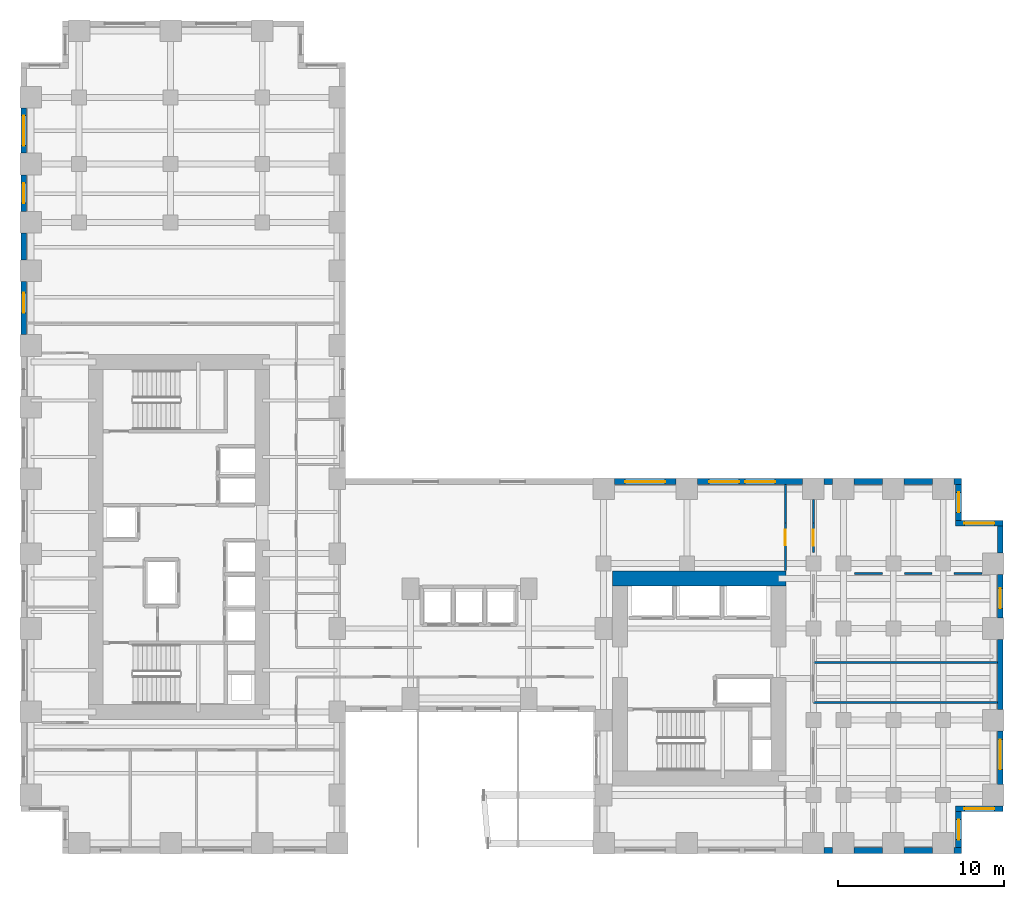
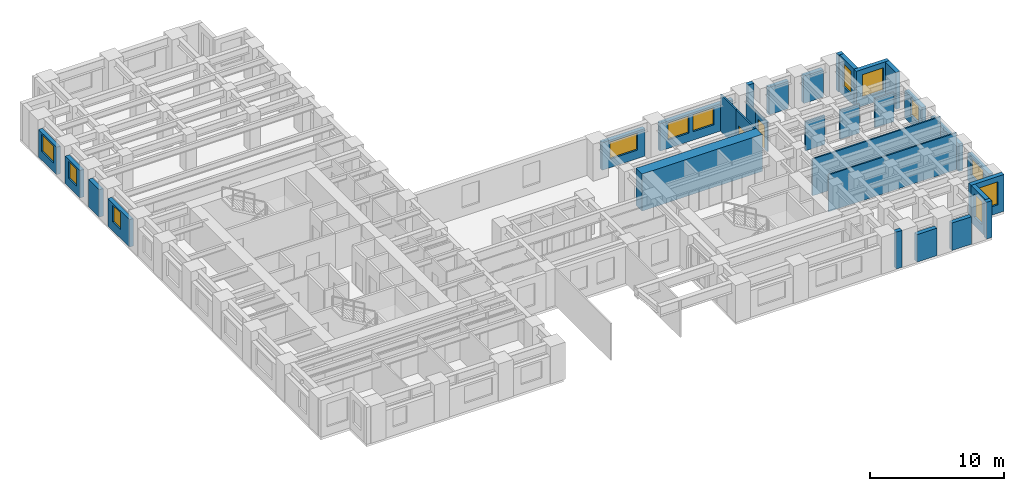
# One storey, part 11 of 14: 32 walls, 12 windows, 2 doors, 14 openings.
"""IFC4 building model written with IfcOpenShell, lengths in metres."""

from ifc_helpers import new_model, si_unit, direction, frame, frame_2d, origin, place, context, subcontext, project, spatial, rectangle, extrude, source, transform, mapped, material, layer, layer_set, type_object, element, fill, save


model = new_model("IFC4")

# Units and contexts
model_context = context("Model", 3, precision=1e-05, world=origin(), true_north=direction((0.0, 1.0)))
body_context = subcontext(model_context, "Body", "Model", "MODEL_VIEW")
ifc_project = project(units=[si_unit("LENGTHUNIT", "METRE"), si_unit("AREAUNIT", "SQUARE_METRE"), si_unit("VOLUMEUNIT", "CUBIC_METRE"), si_unit("PLANEANGLEUNIT", "RADIAN"), si_unit("MASSUNIT", "GRAM", prefix="KILO")], contexts=[model_context])

# Site, building, storey
site_placement = place(None, origin())
site = spatial("IfcSite", under=ifc_project, at=site_placement, CompositionType="ELEMENT")
building_placement = place(site_placement, origin())
building = spatial("IfcBuilding", under=site, at=building_placement, Name="Kharzan Plaza Tower", CompositionType="ELEMENT")
storey_placement = place(building_placement, frame((0.0, 0.0, 29.699951171875)))
storey = spatial("IfcBuildingStorey", under=building, at=storey_placement, Name="L07", CompositionType="ELEMENT", Elevation=29.699951171875)

# Wall, opening, window
ifc_material_1 = material(Name="Concrete C40/50", Category="concrete")
ifc_layer_1 = layer(ifc_material_1, 0.35009765625)
ifc_layer_set_1 = layer_set([ifc_layer_1], Name="Concrete C40/50")
wall_type_1 = type_object("IfcWallType", Name="WL-EXT-MAS-Z1", PredefinedType="SOLIDWALL", material=ifc_layer_set_1)
wall_1_placement = place(storey_placement, frame((0.175048828125, 44.751953125, 0.0), z_axis=(0.0, 0.0, 1.0), x_axis=(0.0, -1.0, 0.0)))
wall_1 = element("IfcWall", 1, at=wall_1_placement, inside=storey, type_object=wall_type_1, Name="L07 Masonry-Frame Exterior Wall 10", PredefinedType="SOLIDWALL", context=body_context, shape_type="SweptSolid", body=[
    extrude(rectangle(XDim=2.703857421875, YDim=0.35009765625, at=frame_2d((1.35205078125, 0.0))), origin(), (0.0, 0.0, 1.0), 2.510009765625),
])
opening_1_placement = place(wall_1_placement, frame((0.451904296875, 0.0, 0.780029296875)))
opening_1 = element("IfcOpeningElement", 2, at=opening_1_placement, cuts=wall_1, Name="Opening W1", PredefinedType="OPENING", context=body_context, shape_type="SweptSolid", body=[
    extrude(rectangle(XDim=1.800048828125, YDim=1.550048828125, at=frame_2d((0.89990234375, 0.77490234375))), frame((0.0, 0.18505859375, 0.0), z_axis=(0.0, -1.0, 0.0), x_axis=(1.0, 0.0, 0.0)), (0.0, 0.0, 1.0), 0.3701171875),
])
ifc_material_2 = material(Name="Low-E Double Glazing", Category="glass")
window_type_1 = type_object("IfcWindowType", Name="WN-REC-1800x2100", PartitioningType="SINGLE_PANEL", PredefinedType="WINDOW", material=ifc_material_2)
shared_shape_1 = source(origin(), body_context, "Body", "SweptSolid", [
    extrude(rectangle(XDim=1.800048828125, YDim=1.550048828125, at=frame_2d((0.89990234375, 0.77490234375))), frame((0.0, 0.030029296875, 0.0), z_axis=(0.0, -1.0, 0.0), x_axis=(1.0, 0.0, 0.0)), (0.0, 0.0, 1.0), 0.06005859375),
])
window_1_placement = place(opening_1_placement, origin())
window_1 = element("IfcWindow", 3, at=window_1_placement, inside=storey, type_object=window_type_1, Name="L07 Recessed Solar-Control Window 10-1", OverallHeight=1.550048828125, OverallWidth=1.800048828125, PartitioningType="SINGLE_PANEL", PredefinedType="WINDOW", context=body_context, shape_type="MappedRepresentation", body=[
    mapped(shared_shape_1, transform((0.0, 0.0, 0.0), x_axis=(1.0, 0.0, 0.0), y_axis=(0.0, 1.0, 0.0), z_axis=(0.0, 0.0, 1.0))),
])
fill(opening_1, window_1)

wall_2_placement = place(storey_placement, frame((0.175048828125, 40.751953125, 0.0), z_axis=(0.0, 0.0, 1.0), x_axis=(0.0, -1.0, 0.0)))
wall_2 = element("IfcWall", 4, at=wall_2_placement, inside=storey, type_object=wall_type_1, Name="L07 Masonry-Frame Exterior Wall 11", PredefinedType="SOLIDWALL", context=body_context, shape_type="SweptSolid", body=[
    extrude(rectangle(XDim=2.203857421875, YDim=0.35009765625, at=frame_2d((1.10205078125, 0.0))), origin(), (0.0, 0.0, 1.0), 2.510009765625),
])
opening_2_placement = place(wall_2_placement, frame((0.501953125, 0.0, 0.780029296875)))
opening_2 = element("IfcOpeningElement", 5, at=opening_2_placement, cuts=wall_2, Name="Opening W3", PredefinedType="OPENING", context=body_context, shape_type="SweptSolid", body=[
    extrude(rectangle(XDim=1.199951171875, YDim=1.550048828125, at=frame_2d((0.60009765625, 0.77490234375))), frame((0.0, 0.18505859375, 0.0), z_axis=(0.0, -1.0, 0.0), x_axis=(1.0, 0.0, 0.0)), (0.0, 0.0, 1.0), 0.3701171875),
])
window_type_2 = type_object("IfcWindowType", Name="WN-REC-1200x2100", PartitioningType="SINGLE_PANEL", PredefinedType="WINDOW", material=ifc_material_2)
shared_shape_2 = source(origin(), body_context, "Body", "SweptSolid", [
    extrude(rectangle(XDim=1.199951171875, YDim=1.550048828125, at=frame_2d((0.60009765625, 0.77490234375))), frame((0.0, 0.030029296875, 0.0), z_axis=(0.0, -1.0, 0.0), x_axis=(1.0, 0.0, 0.0)), (0.0, 0.0, 1.0), 0.06005859375),
])
window_2_placement = place(opening_2_placement, origin())
window_2 = element("IfcWindow", 6, at=window_2_placement, inside=storey, type_object=window_type_2, Name="L07 Recessed Solar-Control Window 11-1", OverallHeight=1.550048828125, OverallWidth=1.199951171875, PartitioningType="SINGLE_PANEL", PredefinedType="WINDOW", context=body_context, shape_type="MappedRepresentation", body=[
    mapped(shared_shape_2, transform((0.0, 0.0, 0.0), x_axis=(1.0, 0.0, 0.0), y_axis=(0.0, 1.0, 0.0), z_axis=(0.0, 0.0, 1.0))),
])
fill(opening_2, window_2)

wall_3_placement = place(storey_placement, frame((0.175048828125, 34.35205078125, 0.0), z_axis=(0.0, 0.0, 1.0), x_axis=(0.0, -1.0, 0.0)))
wall_3 = element("IfcWall", 7, at=wall_3_placement, inside=storey, type_object=wall_type_1, Name="L07 Masonry-Frame Exterior Wall 13", PredefinedType="SOLIDWALL", context=body_context, shape_type="SweptSolid", body=[
    extrude(rectangle(XDim=3.2041015625, YDim=0.35009765625, at=frame_2d((1.60205078125, 0.0))), origin(), (0.0, 0.0, 1.0), 2.510009765625),
])
opening_3_placement = place(wall_3_placement, frame((0.68603515625, 0.0, 0.780029296875)))
opening_3 = element("IfcOpeningElement", 8, at=opening_3_placement, cuts=wall_3, Name="Opening W3", PredefinedType="OPENING", context=body_context, shape_type="SweptSolid", body=[
    extrude(rectangle(XDim=1.199951171875, YDim=1.550048828125, at=frame_2d((0.60009765625, 0.77490234375))), frame((0.0, 0.18505859375, 0.0), z_axis=(0.0, -1.0, 0.0), x_axis=(1.0, 0.0, 0.0)), (0.0, 0.0, 1.0), 0.3701171875),
])
window_3_placement = place(opening_3_placement, origin())
window_3 = element("IfcWindow", 9, at=window_3_placement, inside=storey, type_object=window_type_2, Name="L07 Recessed Solar-Control Window 13-1", OverallHeight=1.550048828125, OverallWidth=1.199951171875, PartitioningType="SINGLE_PANEL", PredefinedType="WINDOW", context=body_context, shape_type="MappedRepresentation", body=[
    mapped(shared_shape_2, transform((0.0, 0.0, 0.0), x_axis=(1.0, 0.0, 0.0), y_axis=(0.0, 1.0, 0.0), z_axis=(0.0, 0.0, 1.0))),
])
fill(opening_3, window_3)

wall_4_placement = place(storey_placement, frame((56.324951171875, 0.347900390625, 0.0), z_axis=(0.0, 0.0, 1.0), x_axis=(0.0, 1.0, 0.0)))
wall_4 = element("IfcWall", 10, at=wall_4_placement, inside=storey, type_object=wall_type_1, Name="L07 Masonry-Frame Exterior Wall 40", PredefinedType="SOLIDWALL", context=body_context, shape_type="SweptSolid", body=[
    extrude(rectangle(XDim=2.154052734375, YDim=0.35009765625, at=frame_2d((1.0771484375, 0.0))), origin(), (0.0, 0.0, 1.0), 3.364990234375),
])
opening_4_placement = place(wall_4_placement, frame((0.47705078125, 0.0, 0.780029296875)))
opening_4 = element("IfcOpeningElement", 11, at=opening_4_placement, cuts=wall_4, Name="Opening W3", PredefinedType="OPENING", context=body_context, shape_type="SweptSolid", body=[
    extrude(rectangle(XDim=1.199951171875, YDim=2.10009765625, at=frame_2d((0.60009765625, 1.050048828125))), frame((0.0, 0.18505859375, 0.0), z_axis=(0.0, -1.0, 0.0), x_axis=(1.0, 0.0, 0.0)), (0.0, 0.0, 1.0), 0.3701171875),
])
shared_shape_3 = source(origin(), body_context, "Body", "SweptSolid", [
    extrude(rectangle(XDim=1.199951171875, YDim=2.10009765625, at=frame_2d((0.60009765625, 1.050048828125))), frame((0.0, 0.030029296875, 0.0), z_axis=(0.0, -1.0, 0.0), x_axis=(1.0, 0.0, 0.0)), (0.0, 0.0, 1.0), 0.06005859375),
])
window_4_placement = place(opening_4_placement, origin())
window_4 = element("IfcWindow", 12, at=window_4_placement, inside=storey, type_object=window_type_2, Name="L07 Recessed Solar-Control Window 40-1", OverallHeight=2.10009765625, OverallWidth=1.199951171875, PartitioningType="SINGLE_PANEL", PredefinedType="WINDOW", context=body_context, shape_type="MappedRepresentation", body=[
    mapped(shared_shape_3, transform((0.0, 0.0, 0.0), x_axis=(1.0, 0.0, 0.0), y_axis=(0.0, 1.0, 0.0), z_axis=(0.0, 0.0, 1.0))),
])
fill(opening_4, window_4)

wall_5_placement = place(storey_placement, frame((56.14990234375, 2.675048828125, 0.0), z_axis=(0.0, 0.0, 1.0), x_axis=(1.0, 0.0, 0.0)))
wall_5 = element("IfcWall", 13, at=wall_5_placement, inside=storey, type_object=wall_type_1, Name="L07 Masonry-Frame Exterior Wall 41", PredefinedType="SOLIDWALL", context=body_context, shape_type="SweptSolid", body=[
    extrude(rectangle(XDim=2.85009765625, YDim=0.35009765625, at=frame_2d((1.425048828125, 0.0))), origin(), (0.0, 0.0, 1.0), 3.364990234375),
])
opening_5_placement = place(wall_5_placement, frame((0.52490234375, 0.0, 0.780029296875)))
opening_5 = element("IfcOpeningElement", 14, at=opening_5_placement, cuts=wall_5, Name="Opening W1", PredefinedType="OPENING", context=body_context, shape_type="SweptSolid", body=[
    extrude(rectangle(XDim=1.800048828125, YDim=2.10009765625, at=frame_2d((0.89990234375, 1.050048828125))), frame((0.0, 0.18505859375, 0.0), z_axis=(0.0, -1.0, 0.0), x_axis=(1.0, 0.0, 0.0)), (0.0, 0.0, 1.0), 0.3701171875),
])
shared_shape_4 = source(origin(), body_context, "Body", "SweptSolid", [
    extrude(rectangle(XDim=1.800048828125, YDim=2.10009765625, at=frame_2d((0.89990234375, 1.050048828125))), frame((0.0, 0.030029296875, 0.0), z_axis=(0.0, -1.0, 0.0), x_axis=(1.0, 0.0, 0.0)), (0.0, 0.0, 1.0), 0.06005859375),
])
window_5_placement = place(opening_5_placement, origin())
window_5 = element("IfcWindow", 15, at=window_5_placement, inside=storey, type_object=window_type_1, Name="L07 Recessed Solar-Control Window 41-1", OverallHeight=2.10009765625, OverallWidth=1.800048828125, PartitioningType="SINGLE_PANEL", PredefinedType="WINDOW", context=body_context, shape_type="MappedRepresentation", body=[
    mapped(shared_shape_4, transform((0.0, 0.0, 0.0), x_axis=(1.0, 0.0, 0.0), y_axis=(0.0, 1.0, 0.0), z_axis=(0.0, 0.0, 1.0))),
])
fill(opening_5, window_5)

wall_6_placement = place(storey_placement, frame((58.824951171875, 4.14794921875, 0.0), z_axis=(0.0, 0.0, 1.0), x_axis=(0.0, 1.0, 0.0)))
wall_6 = element("IfcWall", 16, at=wall_6_placement, inside=storey, type_object=wall_type_1, Name="L07 Masonry-Frame Exterior Wall 42", PredefinedType="SOLIDWALL", context=body_context, shape_type="SweptSolid", body=[
    extrude(rectangle(XDim=3.2041015625, YDim=0.35009765625, at=frame_2d((1.60205078125, 0.0))), origin(), (0.0, 0.0, 1.0), 2.510009765625),
])
opening_6_placement = place(wall_6_placement, frame((0.88671875, 0.0, 0.780029296875)))
opening_6 = element("IfcOpeningElement", 17, at=opening_6_placement, cuts=wall_6, Name="Opening W1", PredefinedType="OPENING", context=body_context, shape_type="SweptSolid", body=[
    extrude(rectangle(XDim=1.800048828125, YDim=1.550048828125, at=frame_2d((0.89990234375, 0.77490234375))), frame((0.0, 0.18505859375, 0.0), z_axis=(0.0, -1.0, 0.0), x_axis=(1.0, 0.0, 0.0)), (0.0, 0.0, 1.0), 0.3701171875),
])
window_6_placement = place(opening_6_placement, origin())
window_6 = element("IfcWindow", 18, at=window_6_placement, inside=storey, type_object=window_type_1, Name="L07 Recessed Solar-Control Window 42-1", OverallHeight=1.550048828125, OverallWidth=1.800048828125, PartitioningType="SINGLE_PANEL", PredefinedType="WINDOW", context=body_context, shape_type="MappedRepresentation", body=[
    mapped(shared_shape_1, transform((0.0, 0.0, 0.0), x_axis=(1.0, 0.0, 0.0), y_axis=(0.0, 1.0, 0.0), z_axis=(0.0, 0.0, 1.0))),
])
fill(opening_6, window_6)

wall_7_placement = place(storey_placement, frame((58.824951171875, 14.14794921875, 0.0), z_axis=(0.0, 0.0, 1.0), x_axis=(0.0, 1.0, 0.0)))
wall_7 = element("IfcWall", 19, at=wall_7_placement, inside=storey, type_object=wall_type_1, Name="L07 Masonry-Frame Exterior Wall 44", PredefinedType="SOLIDWALL", context=body_context, shape_type="SweptSolid", body=[
    extrude(rectangle(XDim=2.60400390625, YDim=0.35009765625, at=frame_2d((1.302001953125, 0.0))), origin(), (0.0, 0.0, 1.0), 2.510009765625),
])
opening_7_placement = place(wall_7_placement, frame((0.5673828125, 0.0, 0.780029296875)))
opening_7 = element("IfcOpeningElement", 20, at=opening_7_placement, cuts=wall_7, Name="Opening W3", PredefinedType="OPENING", context=body_context, shape_type="SweptSolid", body=[
    extrude(rectangle(XDim=1.199951171875, YDim=1.550048828125, at=frame_2d((0.60009765625, 0.77490234375))), frame((0.0, 0.18505859375, 0.0), z_axis=(0.0, -1.0, 0.0), x_axis=(1.0, 0.0, 0.0)), (0.0, 0.0, 1.0), 0.3701171875),
])
window_7_placement = place(opening_7_placement, origin())
window_7 = element("IfcWindow", 21, at=window_7_placement, inside=storey, type_object=window_type_2, Name="L07 Recessed Solar-Control Window 44-1", OverallHeight=1.550048828125, OverallWidth=1.199951171875, PartitioningType="SINGLE_PANEL", PredefinedType="WINDOW", context=body_context, shape_type="MappedRepresentation", body=[
    mapped(shared_shape_2, transform((0.0, 0.0, 0.0), x_axis=(1.0, 0.0, 0.0), y_axis=(0.0, 1.0, 0.0), z_axis=(0.0, 0.0, 1.0))),
])
fill(opening_7, window_7)

wall_8_placement = place(storey_placement, frame((59.0, 19.824951171875, 0.0), z_axis=(0.0, 0.0, 1.0), x_axis=(-1.0, 0.0, 0.0)))
wall_8 = element("IfcWall", 22, at=wall_8_placement, inside=storey, type_object=wall_type_1, Name="L07 Masonry-Frame Exterior Wall 46", PredefinedType="SOLIDWALL", context=body_context, shape_type="SweptSolid", body=[
    extrude(rectangle(XDim=2.85009765625, YDim=0.35009765625, at=frame_2d((1.425048828125, 0.0))), origin(), (0.0, 0.0, 1.0), 3.364990234375),
])
opening_8_placement = place(wall_8_placement, frame((0.52490234375, 0.0, 0.780029296875)))
opening_8 = element("IfcOpeningElement", 23, at=opening_8_placement, cuts=wall_8, Name="Opening W1", PredefinedType="OPENING", context=body_context, shape_type="SweptSolid", body=[
    extrude(rectangle(XDim=1.800048828125, YDim=2.10009765625, at=frame_2d((0.89990234375, 1.050048828125))), frame((0.0, 0.18505859375, 0.0), z_axis=(0.0, -1.0, 0.0), x_axis=(1.0, 0.0, 0.0)), (0.0, 0.0, 1.0), 0.3701171875),
])
window_8_placement = place(opening_8_placement, origin())
window_8 = element("IfcWindow", 24, at=window_8_placement, inside=storey, type_object=window_type_1, Name="L07 Recessed Solar-Control Window 46-1", OverallHeight=2.10009765625, OverallWidth=1.800048828125, PartitioningType="SINGLE_PANEL", PredefinedType="WINDOW", context=body_context, shape_type="MappedRepresentation", body=[
    mapped(shared_shape_4, transform((0.0, 0.0, 0.0), x_axis=(1.0, 0.0, 0.0), y_axis=(0.0, 1.0, 0.0), z_axis=(0.0, 0.0, 1.0))),
])
fill(opening_8, window_8)

wall_9_placement = place(storey_placement, frame((56.324951171875, 19.998046875, 0.0), z_axis=(0.0, 0.0, 1.0), x_axis=(0.0, 1.0, 0.0)))
wall_9 = element("IfcWall", 25, at=wall_9_placement, inside=storey, type_object=wall_type_1, Name="L07 Masonry-Frame Exterior Wall 47", PredefinedType="SOLIDWALL", context=body_context, shape_type="SweptSolid", body=[
    extrude(rectangle(XDim=2.154052734375, YDim=0.35009765625, at=frame_2d((1.0771484375, 0.0))), origin(), (0.0, 0.0, 1.0), 3.364990234375),
])
opening_9_placement = place(wall_9_placement, frame((0.47705078125, 0.0, 0.780029296875)))
opening_9 = element("IfcOpeningElement", 26, at=opening_9_placement, cuts=wall_9, Name="Opening W3", PredefinedType="OPENING", context=body_context, shape_type="SweptSolid", body=[
    extrude(rectangle(XDim=1.199951171875, YDim=2.10009765625, at=frame_2d((0.60009765625, 1.050048828125))), frame((0.0, 0.18505859375, 0.0), z_axis=(0.0, -1.0, 0.0), x_axis=(1.0, 0.0, 0.0)), (0.0, 0.0, 1.0), 0.3701171875),
])
window_9_placement = place(opening_9_placement, origin())
window_9 = element("IfcWindow", 27, at=window_9_placement, inside=storey, type_object=window_type_2, Name="L07 Recessed Solar-Control Window 47-1", OverallHeight=2.10009765625, OverallWidth=1.199951171875, PartitioningType="SINGLE_PANEL", PredefinedType="WINDOW", context=body_context, shape_type="MappedRepresentation", body=[
    mapped(shared_shape_3, transform((0.0, 0.0, 0.0), x_axis=(1.0, 0.0, 0.0), y_axis=(0.0, 1.0, 0.0), z_axis=(0.0, 0.0, 1.0))),
])
fill(opening_9, window_9)

# Wall, openings, windows
wall_10_placement = place(storey_placement, frame((46.951904296875, 22.324951171875, 0.0), z_axis=(0.0, 0.0, 1.0), x_axis=(-1.0, 0.0, 0.0)))
wall_10 = element("IfcWall", 28, at=wall_10_placement, inside=storey, type_object=wall_type_1, Name="L07 Masonry-Frame Exterior Wall 52", PredefinedType="SOLIDWALL", context=body_context, shape_type="SweptSolid", body=[
    extrude(rectangle(XDim=6.303955078125, YDim=0.35009765625, at=frame_2d((3.15185546875, 0.0))), origin(), (0.0, 0.0, 1.0), 2.510009765625),
])
opening_10_placement = place(wall_10_placement, frame((1.6494140625, 0.0, 0.780029296875)))
opening_10 = element("IfcOpeningElement", 29, at=opening_10_placement, cuts=wall_10, Name="Opening W1", PredefinedType="OPENING", context=body_context, shape_type="SweptSolid", body=[
    extrude(rectangle(XDim=1.800048828125, YDim=1.550048828125, at=frame_2d((0.89990234375, 0.77490234375))), frame((0.0, 0.18505859375, 0.0), z_axis=(0.0, -1.0, 0.0), x_axis=(1.0, 0.0, 0.0)), (0.0, 0.0, 1.0), 0.3701171875),
])
opening_11_placement = place(wall_10_placement, frame((3.816650390625, 0.0, 0.780029296875)))
opening_11 = element("IfcOpeningElement", 30, at=opening_11_placement, cuts=wall_10, Name="Opening W1", PredefinedType="OPENING", context=body_context, shape_type="SweptSolid", body=[
    extrude(rectangle(XDim=1.800048828125, YDim=1.550048828125, at=frame_2d((0.89990234375, 0.77490234375))), frame((0.0, 0.18505859375, 0.0), z_axis=(0.0, -1.0, 0.0), x_axis=(1.0, 0.0, 0.0)), (0.0, 0.0, 1.0), 0.3701171875),
])
window_10_placement = place(opening_10_placement, origin())
window_10 = element("IfcWindow", 31, at=window_10_placement, inside=storey, type_object=window_type_1, Name="L07 Recessed Solar-Control Window 52-1", OverallHeight=1.550048828125, OverallWidth=1.800048828125, PartitioningType="SINGLE_PANEL", PredefinedType="WINDOW", context=body_context, shape_type="MappedRepresentation", body=[
    mapped(shared_shape_1, transform((0.0, 0.0, 0.0), x_axis=(1.0, 0.0, 0.0), y_axis=(0.0, 1.0, 0.0), z_axis=(0.0, 0.0, 1.0))),
])
fill(opening_10, window_10)
window_11_placement = place(opening_11_placement, origin())
window_11 = element("IfcWindow", 32, at=window_11_placement, inside=storey, type_object=window_type_1, Name="L07 Recessed Solar-Control Window 52-2", OverallHeight=1.550048828125, OverallWidth=1.800048828125, PartitioningType="SINGLE_PANEL", PredefinedType="WINDOW", context=body_context, shape_type="MappedRepresentation", body=[
    mapped(shared_shape_1, transform((0.0, 0.0, 0.0), x_axis=(1.0, 0.0, 0.0), y_axis=(0.0, 1.0, 0.0), z_axis=(0.0, 0.0, 1.0))),
])
fill(opening_11, window_11)

# Wall, opening, window
wall_11_placement = place(storey_placement, frame((39.35205078125, 22.324951171875, 0.0), z_axis=(0.0, 0.0, 1.0), x_axis=(-1.0, 0.0, 0.0)))
wall_11 = element("IfcWall", 33, at=wall_11_placement, inside=storey, type_object=wall_type_1, Name="L07 Masonry-Frame Exterior Wall 53", PredefinedType="SOLIDWALL", context=body_context, shape_type="SweptSolid", body=[
    extrude(rectangle(XDim=3.7041015625, YDim=0.35009765625, at=frame_2d((1.85205078125, 0.0))), origin(), (0.0, 0.0, 1.0), 2.510009765625),
])
opening_12_placement = place(wall_11_placement, frame((0.652099609375, 0.0, 0.780029296875)))
opening_12 = element("IfcOpeningElement", 34, at=opening_12_placement, cuts=wall_11, Name="Opening W2", PredefinedType="OPENING", context=body_context, shape_type="SweptSolid", body=[
    extrude(rectangle(XDim=2.39990234375, YDim=1.550048828125, at=frame_2d((1.199951171875, 0.77490234375))), frame((0.0, 0.18505859375, 0.0), z_axis=(0.0, -1.0, 0.0), x_axis=(1.0, 0.0, 0.0)), (0.0, 0.0, 1.0), 0.3701171875),
])
window_type_3 = type_object("IfcWindowType", Name="WN-REC-2400x2100", PartitioningType="SINGLE_PANEL", PredefinedType="WINDOW", material=ifc_material_2)
shared_shape_5 = source(origin(), body_context, "Body", "SweptSolid", [
    extrude(rectangle(XDim=2.39990234375, YDim=1.550048828125, at=frame_2d((1.199951171875, 0.77490234375))), frame((0.0, 0.030029296875, 0.0), z_axis=(0.0, -1.0, 0.0), x_axis=(1.0, 0.0, 0.0)), (0.0, 0.0, 1.0), 0.06005859375),
])
window_12_placement = place(opening_12_placement, origin())
window_12 = element("IfcWindow", 35, at=window_12_placement, inside=storey, type_object=window_type_3, Name="L07 Wide Recessed Solar-Control Window 53-1", OverallHeight=1.550048828125, OverallWidth=2.39990234375, PartitioningType="SINGLE_PANEL", PredefinedType="WINDOW", context=body_context, shape_type="MappedRepresentation", body=[
    mapped(shared_shape_5, transform((0.0, 0.0, 0.0), x_axis=(1.0, 0.0, 0.0), y_axis=(0.0, 1.0, 0.0), z_axis=(0.0, 0.0, 1.0))),
])
fill(opening_12, window_12)

# Wall, opening, door
ifc_material_3 = material(Name="Fire-Rated Gypsum Board Partition", Category="gypsum")
ifc_layer_2 = layer(ifc_material_3, 0.125)
ifc_layer_set_2 = layer_set([ifc_layer_2], Name="Fire-Rated Gypsum Board Partition")
wall_type_2 = type_object("IfcWallType", Name="WL-INT-PART-125", PredefinedType="PARTITIONING", material=ifc_layer_set_2)
wall_12_placement = place(storey_placement, frame((47.60009765625, 18.06005859375, 0.0), z_axis=(0.0, 0.0, 1.0), x_axis=(0.0, 1.0, 0.0)))
wall_12 = element("IfcWall", 36, at=wall_12_placement, inside=storey, type_object=wall_type_2, Name="L07 Interior Partition SH-B1W2", PredefinedType="PARTITIONING", context=body_context, shape_type="SweptSolid", body=[
    extrude(rectangle(XDim=1.7900390625, YDim=0.125, at=frame_2d((0.89501953125, 0.0))), origin(), (0.0, 0.0, 1.0), 2.670166015625),
])
opening_13_placement = place(wall_12_placement, frame((0.419921875, 0.0, 0.0)))
opening_13 = element("IfcOpeningElement", 37, at=opening_13_placement, cuts=wall_12, Name="Opening OD1", PredefinedType="OPENING", context=body_context, shape_type="SweptSolid", body=[
    extrude(rectangle(XDim=0.949951171875, YDim=2.14990234375, at=frame_2d((0.47509765625, 1.074951171875))), frame((0.0, 0.072509765625, 0.0), z_axis=(0.0, -1.0, 0.0), x_axis=(1.0, 0.0, 0.0)), (0.0, 0.0, 1.0), 0.14501953125),
])
ifc_material_4 = material(Name="Acoustic Solid-Core Stained Oak", Category="timber")
door_type = type_object("IfcDoorType", Name="DR-OFF-SINGLE", OperationType="NOTDEFINED", PredefinedType="DOOR", material=ifc_material_4)
shared_shape_6 = source(origin(), body_context, "Body", "SweptSolid", [
    extrude(rectangle(XDim=0.949951171875, YDim=2.14990234375, at=frame_2d((0.47509765625, 1.074951171875))), frame((0.0, 0.02490234375, 0.0), z_axis=(0.0, -1.0, 0.0), x_axis=(1.0, 0.0, 0.0)), (0.0, 0.0, 1.0), 0.050048828125),
])
door_1_placement = place(opening_13_placement, origin())
door_1 = element("IfcDoor", 38, at=door_1_placement, inside=storey, type_object=door_type, Name="L07 Wing B North Office Door", OperationType="SINGLE_SWING_RIGHT", OverallHeight=2.14990234375, OverallWidth=0.949951171875, PredefinedType="DOOR", context=body_context, shape_type="MappedRepresentation", body=[
    mapped(shared_shape_6, transform((0.0, 0.0, 0.0), x_axis=(1.0, 0.0, 0.0), y_axis=(0.0, 1.0, 0.0), z_axis=(0.0, 0.0, 1.0))),
])
fill(opening_13, door_1)

wall_13_placement = place(storey_placement, frame((45.919921875, 16.97998046875, 0.0), z_axis=(0.0, 0.0, 1.0), x_axis=(0.0, 1.0, 0.0)))
wall_13 = element("IfcWall", 39, at=wall_13_placement, inside=storey, type_object=wall_type_2, Name="L07 Interior Partition SH-RBNE", PredefinedType="PARTITIONING", context=body_context, shape_type="SweptSolid", body=[
    extrude(rectangle(XDim=2.8701171875, YDim=0.125, at=frame_2d((1.43505859375, 0.0))), origin(), (0.0, 0.0, 1.0), 3.364990234375),
])
opening_14_placement = place(wall_13_placement, frame((1.51708984375, 0.0, 0.0)))
opening_14 = element("IfcOpeningElement", 40, at=opening_14_placement, cuts=wall_13, Name="Opening OD1", PredefinedType="OPENING", context=body_context, shape_type="SweptSolid", body=[
    extrude(rectangle(XDim=0.949951171875, YDim=2.14990234375, at=frame_2d((0.47509765625, 1.074951171875))), frame((0.0, 0.072509765625, 0.0), z_axis=(0.0, -1.0, 0.0), x_axis=(1.0, 0.0, 0.0)), (0.0, 0.0, 1.0), 0.14501953125),
])
door_2_placement = place(opening_14_placement, origin())
door_2 = element("IfcDoor", 41, at=door_2_placement, inside=storey, type_object=door_type, Name="L07 Wing B North Studio Door", OperationType="SINGLE_SWING_LEFT", OverallHeight=2.14990234375, OverallWidth=0.949951171875, PredefinedType="DOOR", context=body_context, shape_type="MappedRepresentation", body=[
    mapped(shared_shape_6, transform((0.0, 0.0, 0.0), x_axis=(1.0, 0.0, 0.0), y_axis=(0.0, 1.0, 0.0), z_axis=(0.0, 0.0, 1.0))),
])
fill(opening_14, door_2)

# Walls
shared_shape_7 = source(origin(), body_context, "Body", "SweptSolid", [
    extrude(rectangle(XDim=1.60400390625, YDim=0.35009765625, at=frame_2d((0.802001953125, 0.0))), origin(), (0.0, 0.0, 1.0), 2.510009765625),
])
wall_14_placement = place(storey_placement, frame((0.175048828125, 37.251953125, 0.0), z_axis=(0.0, 0.0, 1.0), x_axis=(0.0, -1.0, 0.0)))
element("IfcWall", 42, at=wall_14_placement, inside=storey, type_object=wall_type_1, Name="L07 Masonry-Frame Exterior Wall 12", PredefinedType="SOLIDWALL", context=body_context, shape_type="MappedRepresentation", body=[
    mapped(shared_shape_7, transform((0.0, 0.0, 0.0), x_axis=(1.0, 0.0, 0.0), y_axis=(0.0, 1.0, 0.0), z_axis=(0.0, 0.0, 1.0))),
])
shared_shape_8 = source(origin(), body_context, "Body", "SweptSolid", [
    extrude(rectangle(XDim=0.50390625, YDim=0.35009765625, at=frame_2d((0.251953125, 0.0))), origin(), (0.0, 0.0, 1.0), 3.364990234375),
])
for number, where, z_axis, x_axis, name in (
    (43, (48.248046875, 0.175048828125, 0.0), (0.0, 0.0, 1.0), (1.0, 0.0, 0.0), "L07 Masonry-Frame Exterior Wall 36"),
    (44, (48.751953125, 22.324951171875, 0.0), (0.0, 0.0, 1.0), (-1.0, 0.0, 0.0), "L07 Masonry-Frame Exterior Wall 51"),
):
    element("IfcWall", number, at=place(storey_placement, frame(where, z_axis=z_axis, x_axis=x_axis)), inside=storey, type_object=wall_type_1, Name=name, PredefinedType="SOLIDWALL", context=body_context, shape_type="MappedRepresentation", body=[
        mapped(shared_shape_8, transform((0.0, 0.0, 0.0), x_axis=(1.0, 0.0, 0.0), y_axis=(0.0, 1.0, 0.0), z_axis=(0.0, 0.0, 1.0))),
    ])
shared_shape_9 = source(origin(), body_context, "Body", "SweptSolid", [
    extrude(rectangle(XDim=1.703857421875, YDim=0.35009765625, at=frame_2d((0.85205078125, 0.0))), origin(), (0.0, 0.0, 1.0), 2.510009765625),
])
for number, where, z_axis, x_axis, name in (
    (45, (50.048095703125, 0.175048828125, 0.0), (0.0, 0.0, 1.0), (1.0, 0.0, 0.0), "L07 Masonry-Frame Exterior Wall 37"),
    (46, (53.048095703125, 0.175048828125, 0.0), (0.0, 0.0, 1.0), (1.0, 0.0, 0.0), "L07 Masonry-Frame Exterior Wall 38"),
    (47, (54.751953125, 22.324951171875, 0.0), (0.0, 0.0, 1.0), (-1.0, 0.0, 0.0), "L07 Masonry-Frame Exterior Wall 49"),
    (48, (51.751953125, 22.324951171875, 0.0), (0.0, 0.0, 1.0), (-1.0, 0.0, 0.0), "L07 Masonry-Frame Exterior Wall 50"),
):
    element("IfcWall", number, at=place(storey_placement, frame(where, z_axis=z_axis, x_axis=x_axis)), inside=storey, type_object=wall_type_1, Name=name, PredefinedType="SOLIDWALL", context=body_context, shape_type="MappedRepresentation", body=[
        mapped(shared_shape_9, transform((0.0, 0.0, 0.0), x_axis=(1.0, 0.0, 0.0), y_axis=(0.0, 1.0, 0.0), z_axis=(0.0, 0.0, 1.0))),
    ])
shared_shape_10 = source(origin(), body_context, "Body", "SweptSolid", [
    extrude(rectangle(XDim=0.451904296875, YDim=0.35009765625, at=frame_2d((0.22607421875, 0.0))), origin(), (0.0, 0.0, 1.0), 3.364990234375),
])
for number, where, z_axis, x_axis, name in (
    (49, (56.048095703125, 0.175048828125, 0.0), (0.0, 0.0, 1.0), (1.0, 0.0, 0.0), "L07 Masonry-Frame Exterior Wall 39"),
    (50, (56.5, 22.324951171875, 0.0), (0.0, 0.0, 1.0), (-1.0, 0.0, 0.0), "L07 Masonry-Frame Exterior Wall 48"),
):
    element("IfcWall", number, at=place(storey_placement, frame(where, z_axis=z_axis, x_axis=x_axis)), inside=storey, type_object=wall_type_1, Name=name, PredefinedType="SOLIDWALL", context=body_context, shape_type="MappedRepresentation", body=[
        mapped(shared_shape_10, transform((0.0, 0.0, 0.0), x_axis=(1.0, 0.0, 0.0), y_axis=(0.0, 1.0, 0.0), z_axis=(0.0, 0.0, 1.0))),
    ])
shared_shape_11 = source(origin(), body_context, "Body", "SweptSolid", [
    extrude(rectangle(XDim=1.60400390625, YDim=0.35009765625, at=frame_2d((0.802001953125, 0.0))), origin(), (0.0, 0.0, 1.0), 3.364990234375),
])
wall_15_placement = place(storey_placement, frame((58.824951171875, 18.048095703125, 0.0), z_axis=(0.0, 0.0, 1.0), x_axis=(0.0, 1.0, 0.0)))
element("IfcWall", 51, at=wall_15_placement, inside=storey, type_object=wall_type_1, Name="L07 Masonry-Frame Exterior Wall 45", PredefinedType="SOLIDWALL", context=body_context, shape_type="MappedRepresentation", body=[
    mapped(shared_shape_11, transform((0.0, 0.0, 0.0), x_axis=(1.0, 0.0, 0.0), y_axis=(0.0, 1.0, 0.0), z_axis=(0.0, 0.0, 1.0))),
])
shared_shape_12 = source(origin(), body_context, "Body", "SweptSolid", [
    extrude(rectangle(XDim=11.0478515625, YDim=0.125, at=frame_2d((5.52392578125, 0.0))), origin(), (0.0, 0.0, 1.0), 3.364990234375),
])
for number, where, z_axis, x_axis, name in (
    (52, (47.60009765625, 11.449951171875, 0.0), (0.0, 0.0, 1.0), (1.0, 0.0, 0.0), "L07 Interior Partition SH-B1H-118"),
    (53, (47.60009765625, 9.050048828125, 0.0), (0.0, 0.0, 1.0), (1.0, 0.0, 0.0), "L07 Interior Partition SH-B1H-90"),
):
    element("IfcWall", number, at=place(storey_placement, frame(where, z_axis=z_axis, x_axis=x_axis)), inside=storey, type_object=wall_type_2, Name=name, PredefinedType="PARTITIONING", context=body_context, shape_type="MappedRepresentation", body=[
        mapped(shared_shape_12, transform((0.0, 0.0, 0.0), x_axis=(1.0, 0.0, 0.0), y_axis=(0.0, 1.0, 0.0), z_axis=(0.0, 0.0, 1.0))),
    ])
shared_shape_13 = source(origin(), body_context, "Body", "SweptSolid", [
    extrude(rectangle(XDim=2.2978515625, YDim=0.125, at=frame_2d((1.14892578125, 0.0))), origin(), (0.0, 0.0, 1.0), 3.364990234375),
])
wall_16_placement = place(storey_placement, frame((45.919921875, 19.85009765625, 0.0), z_axis=(0.0, 0.0, 1.0), x_axis=(0.0, 1.0, 0.0)))
element("IfcWall", 54, at=wall_16_placement, inside=storey, type_object=wall_type_2, Name="L07 Interior Partition SH-RBNE0", PredefinedType="PARTITIONING", context=body_context, shape_type="MappedRepresentation", body=[
    mapped(shared_shape_13, transform((0.0, 0.0, 0.0), x_axis=(1.0, 0.0, 0.0), y_axis=(0.0, 1.0, 0.0), z_axis=(0.0, 0.0, 1.0))),
])
ifc_material_5 = material(Name="Concrete C60/75", Category="concrete")
ifc_layer_3 = layer(ifc_material_5, 0.89990234375)
ifc_layer_set_3 = layer_set([ifc_layer_3], Name="Concrete C60/75")
wall_type_3 = type_object("IfcWallType", Name="WL-CORE-900", PredefinedType="SHEAR", material=ifc_layer_set_3)
shared_shape_14 = source(origin(), body_context, "Body", "SweptSolid", [
    extrude(rectangle(XDim=10.39990234375, YDim=0.89990234375, at=frame_2d((5.199951171875, 0.0))), origin(), (0.0, 0.0, 1.0), 3.380126953125),
])
wall_17_placement = place(storey_placement, frame((35.550048828125, 16.5, 0.0), z_axis=(0.0, 0.0, 1.0), x_axis=(1.0, 0.0, 0.0)))
element("IfcWall", 55, at=wall_17_placement, inside=storey, type_object=wall_type_3, Name="L07 CORE-B north RC shear wall", PredefinedType="SHEAR", context=body_context, shape_type="MappedRepresentation", body=[
    mapped(shared_shape_14, transform((0.0, 0.0, 0.0), x_axis=(1.0, 0.0, 0.0), y_axis=(0.0, 1.0, 0.0), z_axis=(0.0, 0.0, 1.0))),
])
shared_shape_15 = source(origin(), body_context, "Body", "SweptSolid", [
    extrude(rectangle(XDim=4.2041015625, YDim=0.35009765625, at=frame_2d((2.10205078125, 0.0))), origin(), (0.0, 0.0, 1.0), 2.510009765625),
])
wall_18_placement = place(storey_placement, frame((58.824951171875, 8.64794921875, 0.0), z_axis=(0.0, 0.0, 1.0), x_axis=(0.0, 1.0, 0.0)))
element("IfcWall", 56, at=wall_18_placement, inside=storey, type_object=wall_type_1, Name="L07 Masonry-Frame Exterior Wall 43", PredefinedType="SOLIDWALL", context=body_context, shape_type="MappedRepresentation", body=[
    mapped(shared_shape_15, transform((0.0, 0.0, 0.0), x_axis=(1.0, 0.0, 0.0), y_axis=(0.0, 1.0, 0.0), z_axis=(0.0, 0.0, 1.0))),
])
shared_shape_16 = source(origin(), body_context, "Body", "SweptSolid", [
    extrude(rectangle(XDim=1.679931640625, YDim=0.125, at=frame_2d((0.83984375, 0.0))), origin(), (0.0, 0.0, 1.0), 2.670166015625),
])
for number, where, z_axis, x_axis, name in (
    (57, (50.06005859375, 16.800048828125, 0.0), (0.0, 0.0, 1.0), (1.0, 0.0, 0.0), "L07 Interior Partition SH-B1H-168-S1"),
    (58, (53.06005859375, 16.800048828125, 0.0), (0.0, 0.0, 1.0), (1.0, 0.0, 0.0), "L07 Interior Partition SH-B1H-168-S2"),
    (59, (56.06005859375, 16.800048828125, 0.0), (0.0, 0.0, 1.0), (1.0, 0.0, 0.0), "L07 Interior Partition SH-B1H-168-S3"),
):
    element("IfcWall", number, at=place(storey_placement, frame(where, z_axis=z_axis, x_axis=x_axis)), inside=storey, type_object=wall_type_2, Name=name, PredefinedType="PARTITIONING", context=body_context, shape_type="MappedRepresentation", body=[
        mapped(shared_shape_16, transform((0.0, 0.0, 0.0), x_axis=(1.0, 0.0, 0.0), y_axis=(0.0, 1.0, 0.0), z_axis=(0.0, 0.0, 1.0))),
    ])
shared_shape_17 = source(origin(), body_context, "Body", "SweptSolid", [
    extrude(rectangle(XDim=1.389892578125, YDim=0.125, at=frame_2d((0.69482421875, 0.0))), origin(), (0.0, 0.0, 1.0), 2.670166015625),
])
wall_19_placement = place(storey_placement, frame((47.60009765625, 19.85009765625, 0.0), z_axis=(0.0, 0.0, 1.0), x_axis=(0.0, 1.0, 0.0)))
element("IfcWall", 60, at=wall_19_placement, inside=storey, type_object=wall_type_2, Name="L07 Interior Partition SH-B1W2N", PredefinedType="PARTITIONING", context=body_context, shape_type="MappedRepresentation", body=[
    mapped(shared_shape_17, transform((0.0, 0.0, 0.0), x_axis=(1.0, 0.0, 0.0), y_axis=(0.0, 1.0, 0.0), z_axis=(0.0, 0.0, 1.0))),
])

save(model, "model.ifc")
